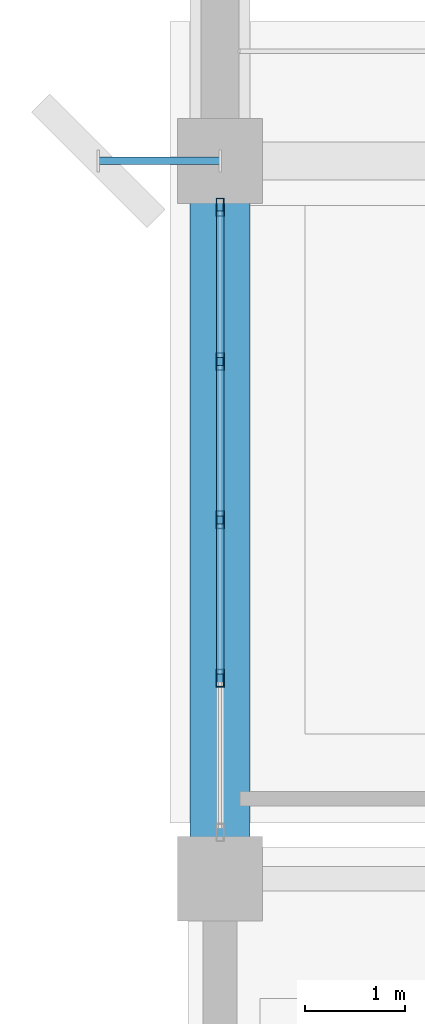
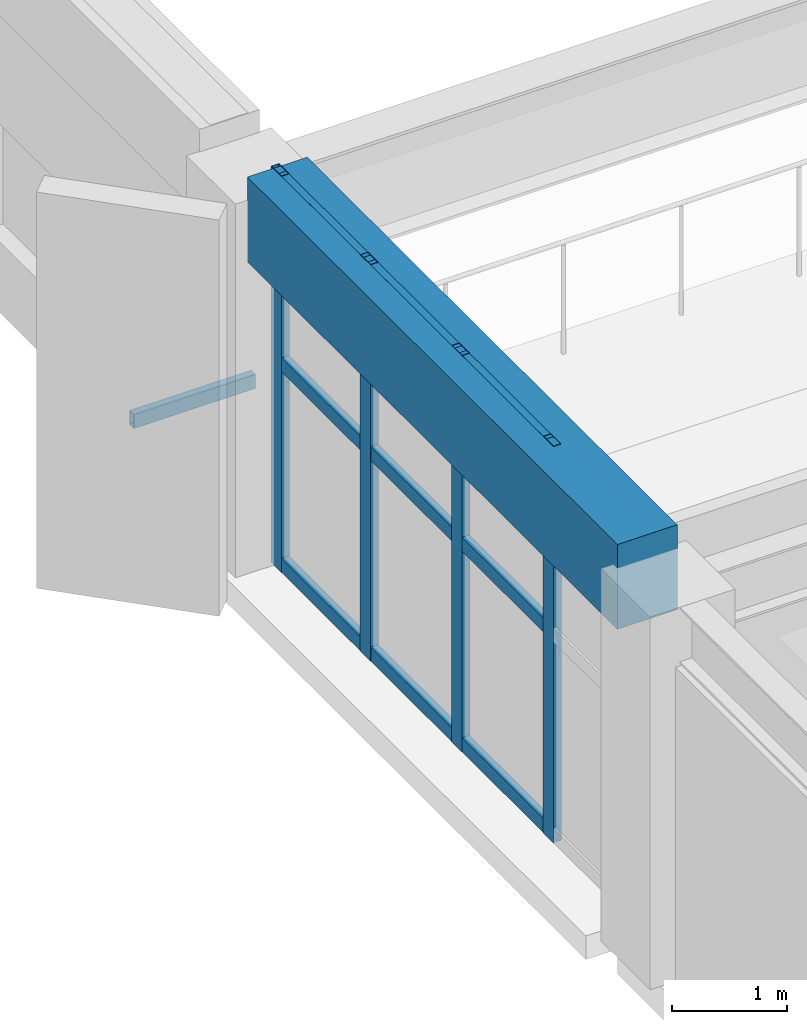
# One storey, part 20 of 59: 14 members, 1 beam, 1 element without a shape of its own.
"""IFC4 building model written with IfcOpenShell, lengths in metres."""

import ifcopenshell
import ifcopenshell.guid

model = None  # the IFC model being written
_history = None  # IfcOwnerHistory: only IFC2X3 demands one
_inside = {}  # id of a spatial element -> (the spatial element, [elements in it])
_under = {}  # id of a project, library or spatial element -> (it, [spatial elements below it])
_declared = {}  # id of a project -> (the project, [libraries it declares])
_typed = {}  # id of a type object -> (the type object, [elements of that type])
_made_of = {}  # id of a material, layer set ... -> (it, [elements and type objects made of it])


def new_model(schema):
    """Start an empty IFC model of exactly this schema.

    Asked for "IFC4X3", IfcOpenShell would pick the latest addendum, in which some entities
    have other attributes; the version numbers below select the first issue.
    IFC2X3 requires an IfcOwnerHistory on every rooted entity: one is made here for all.
    """
    global model, _history
    if schema == "IFC4X3":
        model = ifcopenshell.file(schema_version=(4, 3, 0, 0))
    else:
        model = ifcopenshell.file(schema=schema)
    _inside.clear()
    _under.clear()
    _declared.clear()
    _typed.clear()
    _made_of.clear()
    _history = None
    if model.schema == "IFC2X3":
        org = make("IfcOrganization", Name="unknown")
        user = make(
            "IfcPersonAndOrganization",
            ThePerson=make("IfcPerson", FamilyName="unknown"),
            TheOrganization=org,
        )
        app = make(
            "IfcApplication",
            ApplicationDeveloper=org,
            Version="unknown",
            ApplicationFullName="unknown",
            ApplicationIdentifier="unknown",
        )
        _history = make(
            "IfcOwnerHistory",
            OwningUser=user,
            OwningApplication=app,
            ChangeAction="ADDED",
            CreationDate=0,
        )
    return model


def make(cls, **values):
    """One entity of the class cls with the attributes given. An attribute that is None is left unset."""
    return model.create_entity(
        cls, **{name: value for name, value in values.items() if value is not None}
    )


def rooted(cls, **values):
    """An entity with a GlobalId (a new one), such as an element, a storey or a relation."""
    return make(cls, GlobalId=ifcopenshell.guid.new(), OwnerHistory=_history, **values)


def si_unit(unit_type, name, prefix=None):
    """IfcSIUnit, for example si_unit("LENGTHUNIT", "METRE", prefix="MILLI")."""
    return make("IfcSIUnit", UnitType=unit_type, Prefix=prefix, Name=name)


def assignment(units):
    """IfcUnitAssignment: the units of a project."""
    return None if units is None else make("IfcUnitAssignment", Units=units)


def point(xyz):
    """IfcCartesianPoint."""
    return None if xyz is None else make("IfcCartesianPoint", Coordinates=xyz)


def direction(xyz):
    """IfcDirection."""
    return None if xyz is None else make("IfcDirection", DirectionRatios=xyz)


def frame(location, z_axis=None, x_axis=None):
    """IfcAxis2Placement3D, a coordinate frame: its origin and axes. An axis left out is left unset."""
    return make(
        "IfcAxis2Placement3D",
        Location=point(location),
        Axis=direction(z_axis),
        RefDirection=direction(x_axis),
    )


def frame_2d(location, x_axis=None):
    """IfcAxis2Placement2D, a coordinate frame in the plane: its origin and x axis."""
    return make(
        "IfcAxis2Placement2D", Location=point(location), RefDirection=direction(x_axis)
    )


def origin():
    """The frame at (0, 0, 0) with its axes left unset."""
    return frame((0.0, 0.0, 0.0))


def origin_2d():
    """The frame at (0, 0) in the plane with its x axis left unset."""
    return frame_2d((0.0, 0.0))


def place(relative_to, where):
    """IfcLocalPlacement: puts the frame where relative to a parent placement (None: the world)."""
    return make(
        "IfcLocalPlacement", PlacementRelTo=relative_to, RelativePlacement=where
    )


def context(
    kind, dimensions, precision=None, world=None, true_north=None, identifier=None
):
    """IfcGeometricRepresentationContext, for example the 3D "Model" context."""
    return make(
        "IfcGeometricRepresentationContext",
        ContextIdentifier=identifier,
        ContextType=kind,
        CoordinateSpaceDimension=dimensions,
        Precision=precision,
        WorldCoordinateSystem=world,
        TrueNorth=true_north,
    )


def subcontext(parent, identifier, kind, view, scale=None):
    """IfcGeometricRepresentationSubContext, for example "Body" below "Model"."""
    return make(
        "IfcGeometricRepresentationSubContext",
        ContextIdentifier=identifier,
        ContextType=kind,
        ParentContext=parent,
        TargetScale=scale,
        TargetView=view,
    )


def project(units=None, contexts=None):
    """IfcProject with its units and contexts."""
    return rooted(
        "IfcProject",
        Name="project",
        RepresentationContexts=contexts,
        UnitsInContext=assignment(units),
    )


def spatial(cls, under=None, at=None, **own):
    """A site, building, storey or space (cls), placed at a placement, below another one or the project."""
    s = rooted(cls, ObjectPlacement=at, **own)
    if under is not None:
        _under.setdefault(under.id(), (under, []))[1].append(s)
    return s


def profile(cls, at=None, kind="AREA", **sizes):
    """A parametric profile (cls). Its sizes go by their IFC names, for example OverallWidth=200.0."""
    return make(cls, ProfileType=kind, Position=at, **sizes)


def rectangle(**sizes):
    """IfcRectangleProfileDef."""
    return profile("IfcRectangleProfileDef", **sizes)


def hollow_rectangle(**sizes):
    """IfcRectangleHollowProfileDef."""
    return profile("IfcRectangleHollowProfileDef", **sizes)


def extrude(swept, where, along, depth):
    """IfcExtrudedAreaSolid: the profile swept, set in the frame where, extruded along a direction by depth."""
    return make(
        "IfcExtrudedAreaSolid",
        SweptArea=swept,
        Position=where,
        ExtrudedDirection=direction(along),
        Depth=depth,
    )


def shape(context_of_items, identifier, shape_type, items):
    """IfcShapeRepresentation: the items that make up one representation, for example the "Body"."""
    return make(
        "IfcShapeRepresentation",
        ContextOfItems=context_of_items,
        RepresentationIdentifier=identifier,
        RepresentationType=shape_type,
        Items=items,
    )


def material(Name=None, Category=None):
    """IfcMaterial."""
    return make("IfcMaterial", Name=Name, Category=Category)


def layer(
    of_material, thickness, ventilated=None, Name=None, Category=None, Priority=None
):
    """IfcMaterialLayer: one layer of a wall or slab, of a material (None: an air gap)."""
    return make(
        "IfcMaterialLayer",
        Material=of_material,
        LayerThickness=thickness,
        IsVentilated=ventilated,
        Name=Name,
        Category=Category,
        Priority=Priority,
    )


def layer_set(layers, Name=None):
    """IfcMaterialLayerSet."""
    return make("IfcMaterialLayerSet", MaterialLayers=layers, LayerSetName=Name)


def material_profile(
    of_material, cross_section, Name=None, Category=None, Priority=None
):
    """IfcMaterialProfile: a cross section and its material."""
    return make(
        "IfcMaterialProfile",
        Name=Name,
        Material=of_material,
        Profile=cross_section,
        Priority=Priority,
        Category=Category,
    )


def profile_set(profiles, Name=None, composite=None):
    """IfcMaterialProfileSet."""
    return make(
        "IfcMaterialProfileSet",
        Name=Name,
        MaterialProfiles=profiles,
        CompositeProfile=composite,
    )


def made_of(thing, what):
    """Note that an element or type object is made of a material, layer set ...; save() writes the relation."""
    if what is not None:
        _made_of.setdefault(what.id(), (what, []))[1].append(thing)
    return thing


def type_object(cls, material=None, **own):
    """A type object (cls), such as IfcWallType, which elements share."""
    return made_of(rooted(cls, **own), material)


def element(
    cls,
    number,
    at=None,
    inside=None,
    cuts=None,
    type_object=None,
    material=None,
    context=None,
    identifier="Body",
    shape_type=None,
    held_by="IfcProductDefinitionShape",
    body=None,
    shapes=None,
    **own,
):
    """One element of the class cls, such as IfcWall. Its Tag is "e" and its number.

    at: its placement. inside: the storey or other place that contains it. cuts: it is an
    opening in that element (IfcRelVoidsElement). A single representation is given by context,
    identifier, shape_type and body (its items); several are given by shapes. held_by: the class
    of the entity that holds the representations. save() writes the other relations.
    """
    e = rooted(cls, Tag="e%d" % number, ObjectPlacement=at, **own)
    if body is not None:
        shapes = [shape(context, identifier, shape_type, body)]
    if shapes is not None:
        e.Representation = make(held_by, Representations=shapes)
    if inside is not None:
        _inside.setdefault(inside.id(), (inside, []))[1].append(e)
    if cuts is not None:
        rooted(
            "IfcRelVoidsElement", RelatingBuildingElement=cuts, RelatedOpeningElement=e
        )
    if type_object is not None:
        _typed.setdefault(type_object.id(), (type_object, []))[1].append(e)
    return made_of(e, material)


def aggregate(whole, parts):
    """IfcRelAggregates: a whole, such as a stair, and the parts it consists of."""
    return rooted("IfcRelAggregates", RelatingObject=whole, RelatedObjects=parts)


def save(model, path):
    """Write the relations noted so far, then the file.

    IfcRelAggregates (storeys below a building ...), IfcRelContainedInSpatialStructure (elements
    in a storey), IfcRelDefinesByType, IfcRelAssociatesMaterial and IfcRelDeclares: one each for
    every whole, place, type object, material and project.
    """
    for whole, parts in _under.values():
        aggregate(whole, parts)
    for where, things in _inside.values():
        rooted(
            "IfcRelContainedInSpatialStructure",
            RelatedElements=things,
            RelatingStructure=where,
        )
    for kind, things in _typed.values():
        rooted("IfcRelDefinesByType", RelatedObjects=things, RelatingType=kind)
    for what, things in _made_of.values():
        rooted("IfcRelAssociatesMaterial", RelatedObjects=things, RelatingMaterial=what)
    for by, libraries in _declared.values():
        rooted("IfcRelDeclares", RelatingContext=by, RelatedDefinitions=libraries)
    model.write(path)


model = new_model("IFC4")

# Units and contexts
model_context = context("Model", 3, precision=1e-05, world=origin(), true_north=direction((0.0, 1.0)))
body_context = subcontext(model_context, "Body", "Model", "MODEL_VIEW")
ifc_project = project(units=[si_unit("LENGTHUNIT", "METRE"), si_unit("AREAUNIT", "SQUARE_METRE"), si_unit("VOLUMEUNIT", "CUBIC_METRE"), si_unit("PLANEANGLEUNIT", "RADIAN"), si_unit("MASSUNIT", "GRAM", prefix="KILO")], contexts=[model_context])

# Site, building, storey
site_placement = place(None, origin())
site = spatial("IfcSite", under=ifc_project, at=site_placement, CompositionType="ELEMENT")
building_placement = place(site_placement, origin())
building = spatial("IfcBuilding", under=site, at=building_placement, Name="Kandorven Conservatory and Botanical Research Centre", CompositionType="ELEMENT")
storey_placement = place(building_placement, frame((0.0, 0.0, 4.800048828125)))
storey = spatial("IfcBuildingStorey", under=building, at=storey_placement, Name="L01", CompositionType="ELEMENT", Elevation=4.800048828125)

# Beam
ifc_material_1 = material(Name="Concrete C40/50 (M50)", Category="concrete")
ifc_material_profile_1 = material_profile(ifc_material_1, rectangle(XDim=0.60009765625, YDim=0.89990234375, at=origin_2d()))
ifc_profile_set_1 = profile_set([ifc_material_profile_1], Name="Concrete C40/50 (M50)")
beam_type = type_object("IfcBeamType", Name="Beam_CG-03", PredefinedType="SPANDREL", material=ifc_profile_set_1)
beam_placement = place(storey_placement, frame((6.0, 35.159912109375, 3.75), z_axis=(0.0, 1.0, 0.0), x_axis=(-1.0, 0.0, 0.0)))
element("IfcBeam", 1, at=beam_placement, inside=storey, type_object=beam_type, Name="Auditorium longitudinal edge beam CG-03 L01", PredefinedType="SPANDREL", context=body_context, shape_type="SweptSolid", body=[
    extrude(rectangle(XDim=0.60009765625, YDim=0.89990234375, at=origin_2d()), origin(), (0.0, 0.0, 1.0), 6.425048828125),
])

# Curtain wall, members
ifc_material_2 = material(Name="Bronze anodised thermally broken aluminium", Category="aluminium")
ifc_layer = layer(ifc_material_2, 0.179931640625)
ifc_layer_set = layer_set([ifc_layer], Name="Bronze anodised thermally broken aluminium")
curtain_wall_type = type_object("IfcCurtainWallType", Name="CW_Unitised", PredefinedType="USERDEFINED", material=ifc_layer_set)
curtain_wall_placement = place(storey_placement, origin())
curtain_wall = element("IfcCurtainWall", 2, at=curtain_wall_placement, inside=storey, type_object=curtain_wall_type, Name="Auditorium foyer curtain wall CW-AUD-L01-1", ObjectType="UNITISED GLAZING", PredefinedType="USERDEFINED")
ifc_material_3 = material(Name="Bronze anodised thermally broken aluminium", Category="aluminium")
ifc_material_profile_2 = material_profile(ifc_material_3, hollow_rectangle(XDim=0.080078125, YDim=0.179931640625, WallThickness=0.006103515625, at=origin_2d()))
ifc_profile_set_2 = profile_set([ifc_material_profile_2], Name="Bronze anodised thermally broken aluminium")
member_type_1 = type_object("IfcMemberType", Name="CW_Mullion", PredefinedType="MULLION", material=ifc_profile_set_2)
member_1_placement = place(storey_placement, frame((6.0, 36.8125, 0.0), z_axis=(0.0, 0.0, 1.0), x_axis=(-1.0, 0.0, 0.0)))
member_1 = element("IfcMember", 3, at=member_1_placement, type_object=member_type_1, Name="CW-01 mullion 2", PredefinedType="MULLION", context=body_context, shape_type="SweptSolid", body=[
    extrude(hollow_rectangle(XDim=0.080078125, YDim=0.179931640625, WallThickness=0.006103515625, at=origin_2d()), origin(), (0.0, 0.0, 1.0), 4.199951171875),
])
member_2_placement = place(storey_placement, frame((6.0, 38.39990234375, 0.0), z_axis=(0.0, 0.0, 1.0), x_axis=(-1.0, 0.0, 0.0)))
member_2 = element("IfcMember", 4, at=member_2_placement, type_object=member_type_1, Name="CW-01 mullion 3", PredefinedType="MULLION", context=body_context, shape_type="SweptSolid", body=[
    extrude(hollow_rectangle(XDim=0.080078125, YDim=0.179931640625, WallThickness=0.006103515625, at=origin_2d()), origin(), (0.0, 0.0, 1.0), 4.199951171875),
])
member_3_placement = place(storey_placement, frame((6.0, 39.987548828125, 0.0), z_axis=(0.0, 0.0, 1.0), x_axis=(-1.0, 0.0, 0.0)))
member_3 = element("IfcMember", 5, at=member_3_placement, type_object=member_type_1, Name="CW-01 mullion 4", PredefinedType="MULLION", context=body_context, shape_type="SweptSolid", body=[
    extrude(hollow_rectangle(XDim=0.080078125, YDim=0.179931640625, WallThickness=0.006103515625, at=origin_2d()), origin(), (0.0, 0.0, 1.0), 4.199951171875),
])
member_4_placement = place(storey_placement, frame((6.0, 41.534912109375, 0.0), z_axis=(0.0, 0.0, 1.0), x_axis=(-1.0, 0.0, 0.0)))
member_4 = element("IfcMember", 6, at=member_4_placement, type_object=member_type_1, Name="CW-01 mullion 5", PredefinedType="MULLION", context=body_context, shape_type="SweptSolid", body=[
    extrude(hollow_rectangle(XDim=0.080078125, YDim=0.179931640625, WallThickness=0.006103515625, at=origin_2d()), origin(), (0.0, 0.0, 1.0), 4.199951171875),
])
ifc_material_4 = material(Name="Bronze anodised thermally broken aluminium", Category="aluminium")
ifc_material_profile_3 = material_profile(ifc_material_4, hollow_rectangle(XDim=0.074951171875, YDim=0.14990234375, WallThickness=0.006103515625, at=origin_2d()))
ifc_profile_set_3 = profile_set([ifc_material_profile_3], Name="Bronze anodised thermally broken aluminium")
member_type_2 = type_object("IfcMemberType", Name="CW_Transom", PredefinedType="USERDEFINED", material=ifc_profile_set_3)
member_5_placement = place(storey_placement, frame((6.0, 36.8525390625, 0.074951171875), z_axis=(0.0, 1.0, 0.0), x_axis=(-1.0, 0.0, 0.0)))
member_5 = element("IfcMember", 7, at=member_5_placement, type_object=member_type_2, Name="CW-01 transom 2.1", ObjectType="TRANSOM", PredefinedType="USERDEFINED", context=body_context, shape_type="SweptSolid", body=[
    extrude(hollow_rectangle(XDim=0.074951171875, YDim=0.14990234375, WallThickness=0.006103515625, at=origin_2d()), origin(), (0.0, 0.0, 1.0), 1.507568359375),
])
member_6_placement = place(storey_placement, frame((6.0, 36.8525390625, 2.199951171875), z_axis=(0.0, 1.0, 0.0), x_axis=(-1.0, 0.0, 0.0)))
member_6 = element("IfcMember", 8, at=member_6_placement, type_object=member_type_2, Name="CW-01 transom 2.2", ObjectType="TRANSOM", PredefinedType="USERDEFINED", context=body_context, shape_type="SweptSolid", body=[
    extrude(hollow_rectangle(XDim=0.074951171875, YDim=0.14990234375, WallThickness=0.006103515625, at=origin_2d()), origin(), (0.0, 0.0, 1.0), 1.507568359375),
])
member_7_placement = place(storey_placement, frame((6.0, 36.8525390625, 4.125), z_axis=(0.0, 1.0, 0.0), x_axis=(-1.0, 0.0, 0.0)))
member_7 = element("IfcMember", 9, at=member_7_placement, type_object=member_type_2, Name="CW-01 transom 2.3", ObjectType="TRANSOM", PredefinedType="USERDEFINED", context=body_context, shape_type="SweptSolid", body=[
    extrude(hollow_rectangle(XDim=0.074951171875, YDim=0.14990234375, WallThickness=0.006103515625, at=origin_2d()), origin(), (0.0, 0.0, 1.0), 1.507568359375),
])
member_8_placement = place(storey_placement, frame((6.0, 38.43994140625, 0.074951171875), z_axis=(0.0, 1.0, 0.0), x_axis=(-1.0, 0.0, 0.0)))
member_8 = element("IfcMember", 10, at=member_8_placement, type_object=member_type_2, Name="CW-01 transom 3.1", ObjectType="TRANSOM", PredefinedType="USERDEFINED", context=body_context, shape_type="SweptSolid", body=[
    extrude(hollow_rectangle(XDim=0.074951171875, YDim=0.14990234375, WallThickness=0.006103515625, at=origin_2d()), origin(), (0.0, 0.0, 1.0), 1.507568359375),
])
member_9_placement = place(storey_placement, frame((6.0, 38.43994140625, 2.199951171875), z_axis=(0.0, 1.0, 0.0), x_axis=(-1.0, 0.0, 0.0)))
member_9 = element("IfcMember", 11, at=member_9_placement, type_object=member_type_2, Name="CW-01 transom 3.2", ObjectType="TRANSOM", PredefinedType="USERDEFINED", context=body_context, shape_type="SweptSolid", body=[
    extrude(hollow_rectangle(XDim=0.074951171875, YDim=0.14990234375, WallThickness=0.006103515625, at=origin_2d()), origin(), (0.0, 0.0, 1.0), 1.507568359375),
])
member_10_placement = place(storey_placement, frame((6.0, 38.43994140625, 4.125), z_axis=(0.0, 1.0, 0.0), x_axis=(-1.0, 0.0, 0.0)))
member_10 = element("IfcMember", 12, at=member_10_placement, type_object=member_type_2, Name="CW-01 transom 3.3", ObjectType="TRANSOM", PredefinedType="USERDEFINED", context=body_context, shape_type="SweptSolid", body=[
    extrude(hollow_rectangle(XDim=0.074951171875, YDim=0.14990234375, WallThickness=0.006103515625, at=origin_2d()), origin(), (0.0, 0.0, 1.0), 1.507568359375),
])
member_11_placement = place(storey_placement, frame((6.0, 40.027587890625, 0.074951171875), z_axis=(0.0, 1.0, 0.0), x_axis=(-1.0, 0.0, 0.0)))
member_11 = element("IfcMember", 13, at=member_11_placement, type_object=member_type_2, Name="CW-01 transom 4.1", ObjectType="TRANSOM", PredefinedType="USERDEFINED", context=body_context, shape_type="SweptSolid", body=[
    extrude(hollow_rectangle(XDim=0.074951171875, YDim=0.14990234375, WallThickness=0.006103515625, at=origin_2d()), origin(), (0.0, 0.0, 1.0), 1.467529296875),
])
member_12_placement = place(storey_placement, frame((6.0, 40.027587890625, 2.199951171875), z_axis=(0.0, 1.0, 0.0), x_axis=(-1.0, 0.0, 0.0)))
member_12 = element("IfcMember", 14, at=member_12_placement, type_object=member_type_2, Name="CW-01 transom 4.2", ObjectType="TRANSOM", PredefinedType="USERDEFINED", context=body_context, shape_type="SweptSolid", body=[
    extrude(hollow_rectangle(XDim=0.074951171875, YDim=0.14990234375, WallThickness=0.006103515625, at=origin_2d()), origin(), (0.0, 0.0, 1.0), 1.467529296875),
])
member_13_placement = place(storey_placement, frame((6.0, 40.027587890625, 4.125), z_axis=(0.0, 1.0, 0.0), x_axis=(-1.0, 0.0, 0.0)))
member_13 = element("IfcMember", 15, at=member_13_placement, type_object=member_type_2, Name="CW-01 transom 4.3", ObjectType="TRANSOM", PredefinedType="USERDEFINED", context=body_context, shape_type="SweptSolid", body=[
    extrude(hollow_rectangle(XDim=0.074951171875, YDim=0.14990234375, WallThickness=0.006103515625, at=origin_2d()), origin(), (0.0, 0.0, 1.0), 1.467529296875),
])
aggregate(curtain_wall, [member_1, member_2, member_3, member_4, member_5, member_6, member_7, member_8, member_9, member_10, member_11, member_12, member_13])

# Member
ifc_material_5 = material(Name="Steel S355 (IS 2062 E350)", Category="steel")
ifc_material_profile_4 = material_profile(ifc_material_5, hollow_rectangle(XDim=0.074951171875, YDim=0.14990234375, WallThickness=0.006103515625, at=origin_2d()))
ifc_profile_set_4 = profile_set([ifc_material_profile_4], Name="Steel S355 (IS 2062 E350)")
member_type_3 = type_object("IfcMemberType", Name="Mem_SF-01", PredefinedType="STRUT", material=ifc_profile_set_4)
member_14_placement = place(storey_placement, frame((6.0, 42.0, 1.699951171875), z_axis=(-1.0, 0.0, 0.0), x_axis=(0.0, -1.0, 0.0)))
element("IfcMember", 16, at=member_14_placement, inside=storey, type_object=member_type_3, Name="Auditorium fin steel strut SF-01 #4", PredefinedType="STRUT", context=body_context, shape_type="SweptSolid", body=[
    extrude(hollow_rectangle(XDim=0.074951171875, YDim=0.14990234375, WallThickness=0.006103515625, at=origin_2d()), origin(), (0.0, 0.0, 1.0), 1.219970703125),
])

save(model, "model.ifc")
